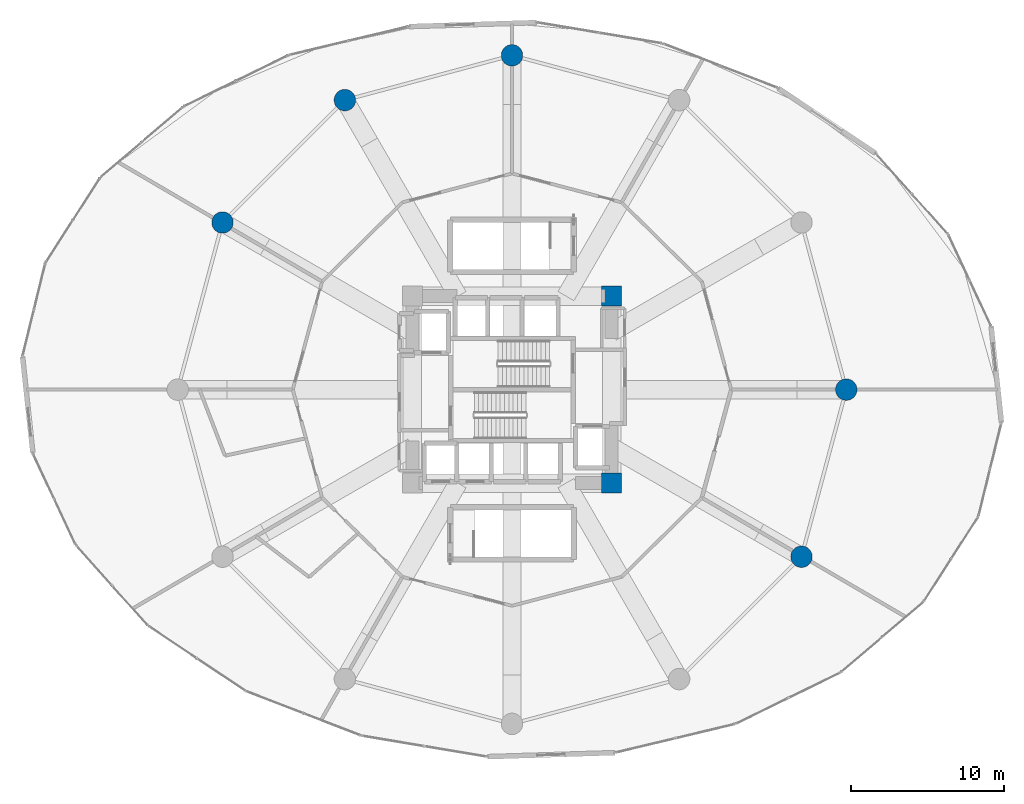
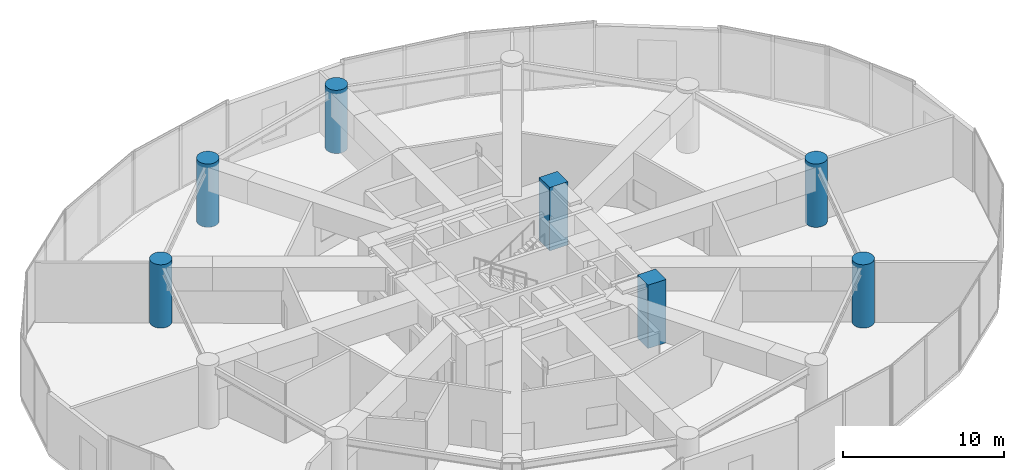
# One storey, part 2 of 27: 7 columns.
"""IFC4 building model written with IfcOpenShell, lengths in metres."""

from ifc_helpers import new_model, si_unit, direction, frame, origin, origin_2d, place, context, subcontext, project, spatial, rectangle, circle, extrude, material, material_profile, profile_set, type_object, element, save


model = new_model("IFC4")

# Units and contexts
model_context = context("Model", 3, precision=1e-05, world=origin(), true_north=direction((0.0, 1.0)))
body_context = subcontext(model_context, "Body", "Model", "MODEL_VIEW")
ifc_project = project(units=[si_unit("LENGTHUNIT", "METRE"), si_unit("AREAUNIT", "SQUARE_METRE"), si_unit("VOLUMEUNIT", "CUBIC_METRE"), si_unit("PLANEANGLEUNIT", "RADIAN"), si_unit("MASSUNIT", "GRAM", prefix="KILO")], contexts=[model_context])

# Site, building, storey
site_placement = place(None, origin())
site = spatial("IfcSite", under=ifc_project, at=site_placement, CompositionType="ELEMENT")
building_placement = place(site_placement, origin())
building = spatial("IfcBuilding", under=site, at=building_placement, Name="Solvirekh Grand Hotel", CompositionType="ELEMENT")
storey_placement = place(building_placement, frame((0.0, 0.0, 23.60009765625)))
storey = spatial("IfcBuildingStorey", under=building, at=storey_placement, Name="L04", CompositionType="ELEMENT", Elevation=23.60009765625)

# Columns
ifc_material = material(Name="Concrete C60/75", Category="concrete")
ifc_material_profile_1 = material_profile(ifc_material, circle(Radius=0.699951171875, at=origin_2d()), Name="RC CIRC D1400")
ifc_profile_set_1 = profile_set([ifc_material_profile_1], Name="Concrete C60/75")
column_type_1 = type_object("IfcColumnType", Name="Col_Base_D1400", PredefinedType="COLUMN", material=ifc_profile_set_1)
for number, where, z_axis, x_axis, name in (
    (1, (21.800048828125, 0.0, 0.0), (0.0, 0.0, 1.0), (1.0, 0.0, 0.0), "L04 perimeter column P01"),
    (2, (0.0, 21.800048828125, 0.0), (0.0, 0.0, 1.0), (1.0, 0.0, 0.0), "L04 perimeter column P04"),
    (3, (-10.89990234375, 18.87890625, 0.0), (0.0, 0.0, 1.0), (1.0, 0.0, 0.0), "L04 perimeter column P05"),
    (4, (-18.87890625, 10.89990234375, 0.0), (0.0, 0.0, 1.0), (1.0, 0.0, 0.0), "L04 perimeter column P06"),
    (5, (18.87890625, -10.89990234375, 0.0), (0.0, 0.0, 1.0), (1.0, 0.0, 0.0), "L04 perimeter column P12"),
):
    element("IfcColumn", number, at=place(storey_placement, frame(where, z_axis=z_axis, x_axis=x_axis)), inside=storey, type_object=column_type_1, Name=name, PredefinedType="COLUMN", context=body_context, shape_type="SweptSolid", body=[
        extrude(circle(Radius=0.699951171875, at=origin_2d()), origin(), (0.0, 0.0, 1.0), 4.7998046875),
    ])
ifc_material_profile_2 = material_profile(ifc_material, rectangle(XDim=1.300048828125, YDim=1.300048828125, at=origin_2d()), Name="RC 1300X1300")
ifc_profile_set_2 = profile_set([ifc_material_profile_2], Name="Concrete C60/75")
column_type_2 = type_object("IfcColumnType", Name="Col_Core_1300", PredefinedType="COLUMN", material=ifc_profile_set_2)
for number, where, z_axis, x_axis, name in (
    (6, (6.5, -6.10009765625, 0.0), (0.0, 0.0, 1.0), (1.0, 0.0, 0.0), "L04 core corner column CC2"),
    (7, (6.5, 6.10009765625, 0.0), (0.0, 0.0, 1.0), (1.0, 0.0, 0.0), "L04 core corner column CC3"),
):
    element("IfcColumn", number, at=place(storey_placement, frame(where, z_axis=z_axis, x_axis=x_axis)), inside=storey, type_object=column_type_2, Name=name, PredefinedType="COLUMN", context=body_context, shape_type="SweptSolid", body=[
        extrude(rectangle(XDim=1.300048828125, YDim=1.300048828125, at=origin_2d()), origin(), (0.0, 0.0, 1.0), 4.7998046875),
    ])

save(model, "model.ifc")
